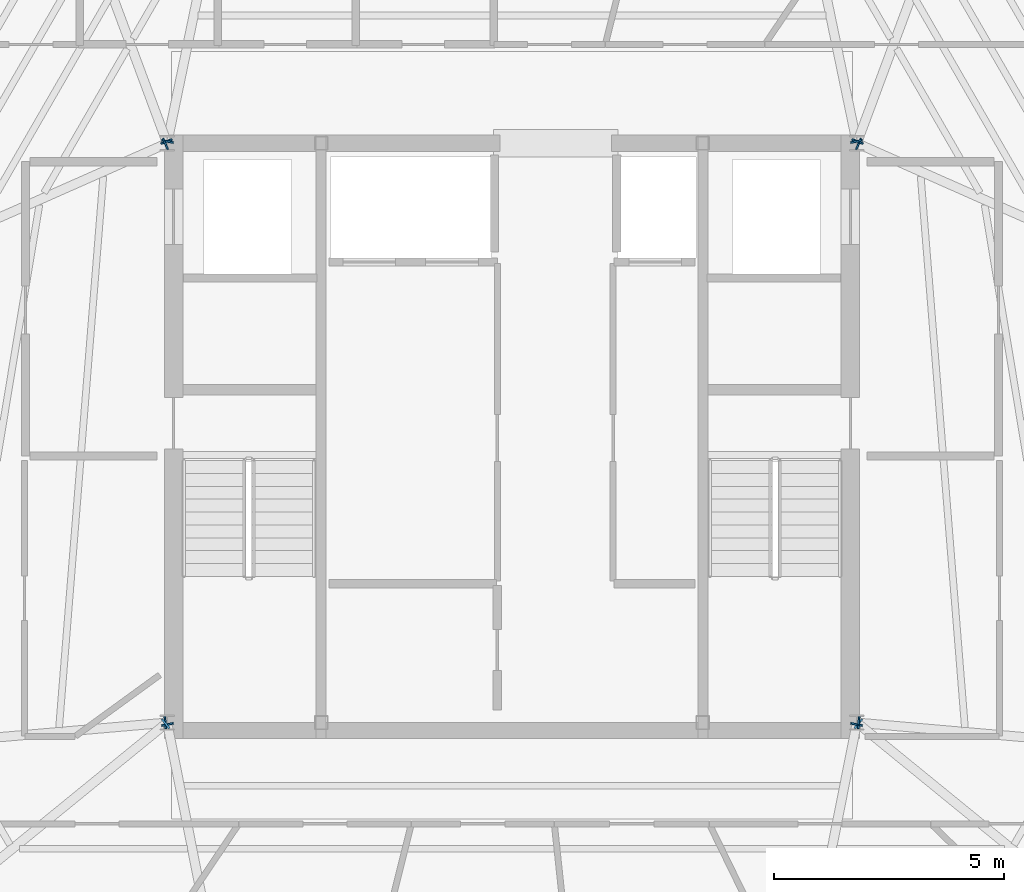
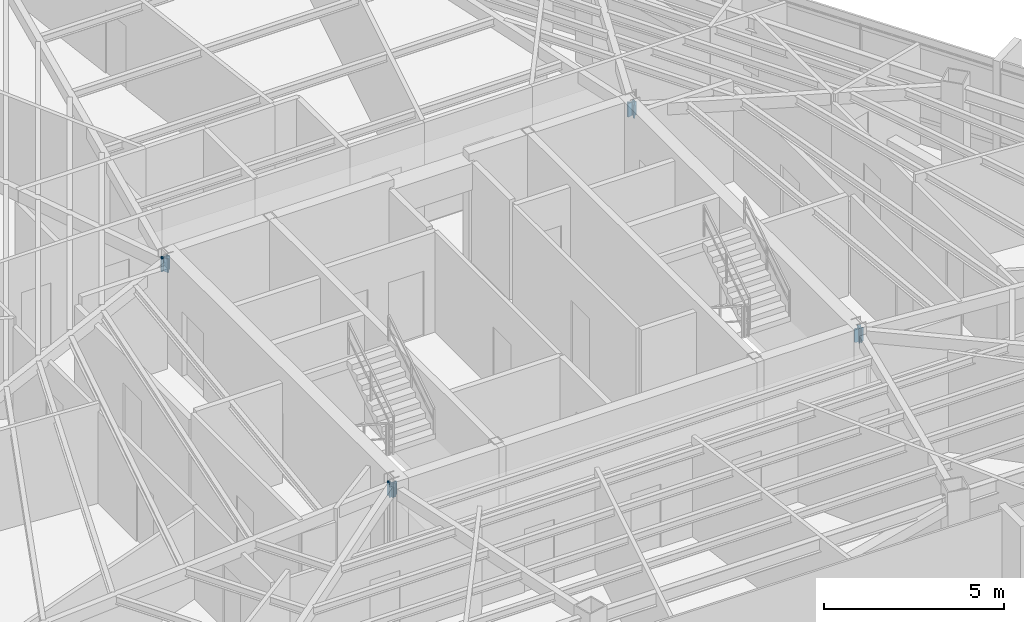
# One storey, part 36 of 42: 12 plates.
"""IFC4 building model written with IfcOpenShell, lengths in metres."""

from ifc_helpers import new_model, si_unit, direction, frame, origin, origin_2d, place, context, subcontext, project, spatial, rectangle, extrude, source, transform, mapped, material, layer, layer_set, type_object, type_shapes, element, save


model = new_model("IFC4")

# Units and contexts
model_context = context("Model", 3, precision=1e-05, world=origin(), true_north=direction((0.0, 1.0)))
body_context = subcontext(model_context, "Body", "Model", "MODEL_VIEW")
ifc_project = project(units=[si_unit("LENGTHUNIT", "METRE"), si_unit("AREAUNIT", "SQUARE_METRE"), si_unit("VOLUMEUNIT", "CUBIC_METRE"), si_unit("PLANEANGLEUNIT", "RADIAN"), si_unit("MASSUNIT", "GRAM", prefix="KILO")], contexts=[model_context])

# Site, building, storey
site_placement = place(None, origin())
site = spatial("IfcSite", under=ifc_project, at=site_placement, CompositionType="ELEMENT")
building_placement = place(site_placement, origin())
building = spatial("IfcBuilding", under=site, at=building_placement, Name="Caelisora Broadcast Tower", CompositionType="ELEMENT")
storey_placement = place(building_placement, frame((0.0, 0.0, 244.449951171875)))
storey = spatial("IfcBuildingStorey", under=building, at=storey_placement, Name="L64", CompositionType="ELEMENT", Elevation=244.449951171875)

# Plates
ifc_material = material(Name="Steel Grade 350 L15 (AS/NZS 3678)", Category="steel")
ifc_layer = layer(ifc_material, 0.0400390625, Name="Steel Grade 350 L15 (AS/NZS 3678)")
ifc_layer_set = layer_set([ifc_layer], Name="Steel Grade 350 L15 (AS/NZS 3678)")
plate_type = type_object("IfcPlateType", Name="GP04", PredefinedType="USERDEFINED", material=ifc_layer_set)
shared_shape = source(origin(), body_context, "Body", "SweptSolid", [
    extrude(rectangle(XDim=0.260009765625, YDim=0.0400390625, at=origin_2d()), origin(), (0.0, 0.0, 1.0), 0.4599609375),
])
type_shapes(plate_type, [shared_shape])
for number, where, z_axis, x_axis, name in (
    (1, (45.491943359375, 30.039306640625, 2.969970703125), (0.0, 0.0, 1.0), (-0.979151964846, -0.203129096238, 0.0), "L64 gusset plate GP04 (ND-RAD-L64-01)"),
    (2, (30.508056640625, 30.039306640625, 2.969970703125), (0.0, 0.0, 1.0), (-0.979151964846, 0.203129096238, 0.0), "L64 gusset plate GP04 (ND-RAD-L64-02)"),
    (3, (30.486083984375, 30.03759765625, 2.969970703125), (0.0, 0.0, 1.0), (-0.937525110258, -0.347917616161, 0.0), "L64 gusset plate GP04 (ND-RAD-L64-03)"),
    (4, (30.46337890625, 29.98388671875, 2.969970703125), (0.0, 0.0, 1.0), (0.404822427269, -0.914395320624, 0.0), "L64 gusset plate GP04 (ND-RAD-L64-04)"),
    (5, (30.460205078125, 17.396484375, 2.969970703125), (0.0, 0.0, 1.0), (0.086460246466, -0.996255301507, 0.0), "L64 gusset plate GP04 (ND-RAD-L64-05)"),
    (6, (30.468994140625, 17.374755859375, 2.969970703125), (0.0, 0.0, 1.0), (0.631758757508, -0.775165061333, 0.0), "L64 gusset plate GP04 (ND-RAD-L64-06)"),
    (7, (30.5078125, 17.36083984375, 2.969970703125), (0.0, 0.0, 1.0), (0.980887295008, 0.194576757325, 0.0), "L64 gusset plate GP04 (ND-RAD-L64-07)"),
    (8, (45.4921875, 17.36083984375, 2.969970703125), (0.0, 0.0, 1.0), (0.980887295008, -0.194576757325, 0.0), "L64 gusset plate GP04 (ND-RAD-L64-08)"),
    (9, (45.531005859375, 17.374755859375, 2.969970703125), (0.0, 0.0, 1.0), (0.631758757508, 0.775165061333, 0.0), "L64 gusset plate GP04 (ND-RAD-L64-09)"),
    (10, (45.539794921875, 17.396484375, 2.969970703125), (0.0, 0.0, 1.0), (0.086460246466, 0.996255301507, 0.0), "L64 gusset plate GP04 (ND-RAD-L64-10)"),
    (11, (45.53662109375, 29.98388671875, 2.969970703125), (0.0, 0.0, 1.0), (0.404822427269, 0.914395320624, 0.0), "L64 gusset plate GP04 (ND-RAD-L64-11)"),
    (12, (45.513916015625, 30.03759765625, 2.969970703125), (0.0, 0.0, 1.0), (-0.937525110258, 0.347917616161, 0.0), "L64 gusset plate GP04 (ND-RAD-L64-12)"),
):
    element("IfcPlate", number, at=place(storey_placement, frame(where, z_axis=z_axis, x_axis=x_axis)), inside=storey, type_object=plate_type, Name=name, ObjectType="GUSSET PLATE", PredefinedType="USERDEFINED", context=body_context, shape_type="MappedRepresentation", body=[
        mapped(shared_shape, transform((0.0, 0.0, 0.0), scale=1.0)),
    ])

save(model, "model.ifc")
